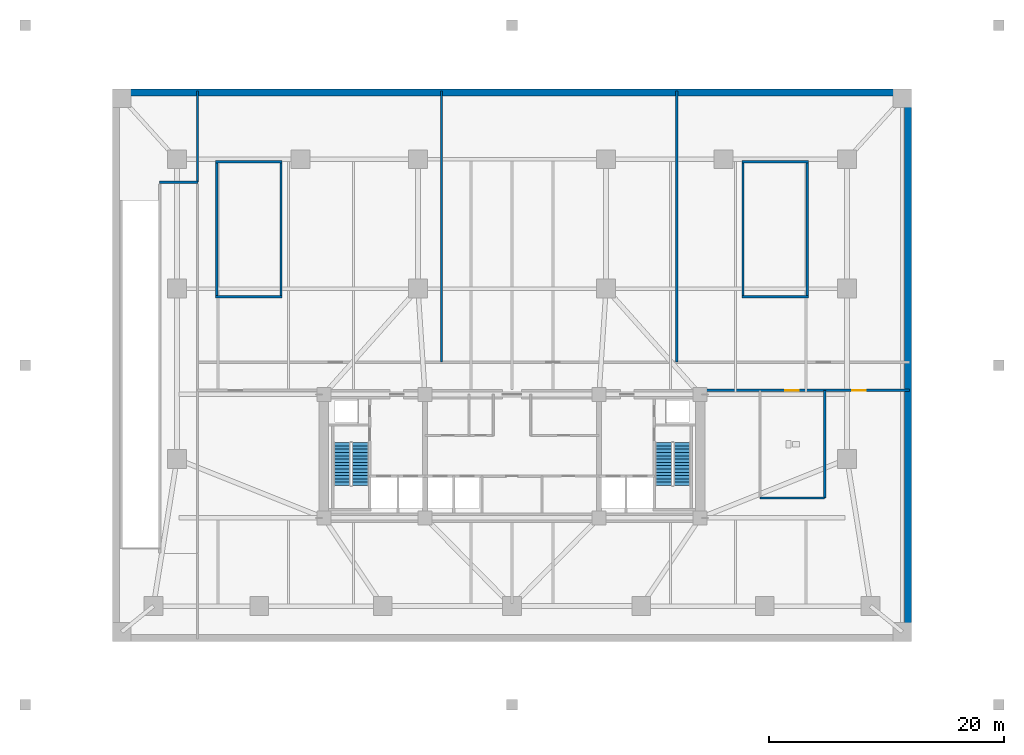
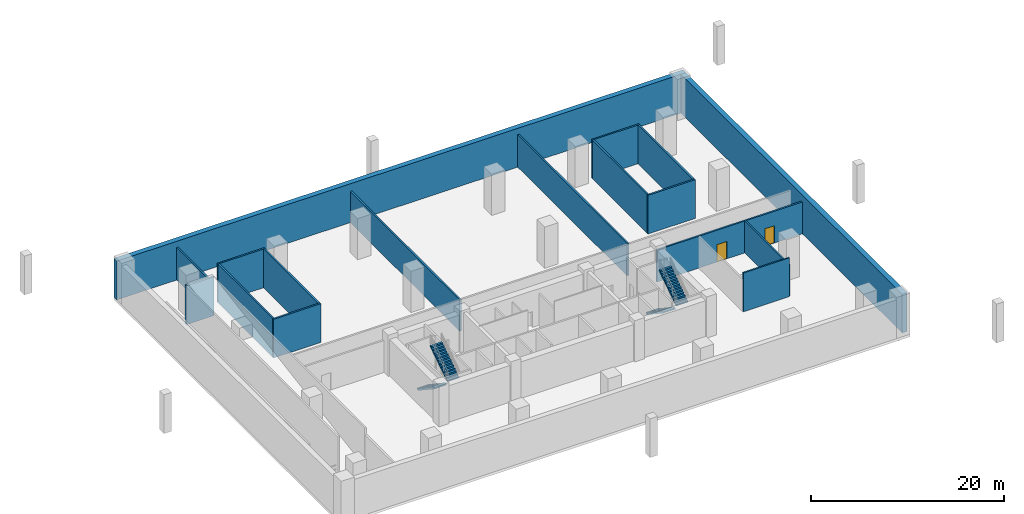
# One storey, part 6 of 9: 17 walls, 4 stair flights, 2 doors, 2 openings, 2 elements without a shape of their own.
"""IFC4 building model written with IfcOpenShell, lengths in metres."""

from ifc_helpers import new_model, si_unit, direction, frame, frame_2d, origin, place, context, subcontext, project, spatial, polyline, rectangle, outline, extrude, material, layer, layer_set, type_object, element, fill, aggregate, save


model = new_model("IFC4")

# Units and contexts
model_context = context("Model", 3, precision=1e-05, world=origin(), true_north=direction((0.0, 1.0)))
body_context = subcontext(model_context, "Body", "Model", "MODEL_VIEW")
ifc_project = project(units=[si_unit("LENGTHUNIT", "METRE"), si_unit("AREAUNIT", "SQUARE_METRE"), si_unit("VOLUMEUNIT", "CUBIC_METRE"), si_unit("PLANEANGLEUNIT", "RADIAN"), si_unit("MASSUNIT", "GRAM", prefix="KILO")], contexts=[model_context])

# Site, building, storey
site_placement = place(None, origin())
site = spatial("IfcSite", under=ifc_project, at=site_placement, CompositionType="ELEMENT")
building_placement = place(site_placement, origin())
building = spatial("IfcBuilding", under=site, at=building_placement, Name="Solmavex Isthmus Hotel", CompositionType="ELEMENT")
storey_placement = place(building_placement, frame((0.0, 0.0, -5.199951171875)))
storey = spatial("IfcBuildingStorey", under=building, at=storey_placement, Name="B01", CompositionType="ELEMENT", Elevation=-5.199951171875)

# Walls
ifc_material_1 = material(Name="Concrete C40/50", Category="concrete")
ifc_layer_1 = layer(ifc_material_1, 0.179931640625)
ifc_layer_set_1 = layer_set([ifc_layer_1], Name="Concrete C40/50")
wall_type_1 = type_object("IfcWallType", Name="IW-SHAFT-180", PredefinedType="PARTITIONING", material=ifc_layer_set_1)
wall_1_placement = place(storey_placement, frame((26.60009765625, -11.300048828125, 0.0), z_axis=(0.0, 0.0, 1.0), x_axis=(0.0, 1.0, 0.0)))
element("IfcWall", 1, at=wall_1_placement, inside=storey, type_object=wall_type_1, Name="Interior Partition Wall W-B01-WCE", PredefinedType="PARTITIONING", context=body_context, shape_type="SweptSolid", body=[
    extrude(rectangle(XDim=9.150146484375, YDim=0.179931640625, at=frame_2d((4.5751953125, 0.0))), origin(), (0.0, 0.0, 1.0), 4.029541015625),
])
wall_2_placement = place(storey_placement, frame((21.10009765625, -11.300048828125, 0.0), z_axis=(0.0, 0.0, 1.0), x_axis=(1.0, 0.0, 0.0)))
element("IfcWall", 2, at=wall_2_placement, inside=storey, type_object=wall_type_1, Name="Interior Partition Wall W-B01-WCS", PredefinedType="PARTITIONING", context=body_context, shape_type="SweptSolid", body=[
    extrude(rectangle(XDim=5.5, YDim=0.179931640625, at=frame_2d((2.75, 0.0))), origin(), (0.0, 0.0, 1.0), 4.89990234375),
])

# Wall, openings, doors
ifc_layer_2 = layer(ifc_material_1, 0.199951171875)
ifc_layer_set_2 = layer_set([ifc_layer_2], Name="Concrete C40/50")
wall_type_2 = type_object("IfcWallType", Name="IW-SHAFT-200", PredefinedType="PARTITIONING", material=ifc_layer_set_2)
wall_3_placement = place(storey_placement, frame((16.0, -2.14990234375, 0.0), z_axis=(0.0, 0.0, 1.0), x_axis=(1.0, 0.0, 0.0)))
wall_3 = element("IfcWall", 3, at=wall_3_placement, inside=storey, type_object=wall_type_2, Name="Interior Partition Wall W-B01-SE", PredefinedType="PARTITIONING", context=body_context, shape_type="SweptSolid", body=[
    extrude(rectangle(XDim=17.800048828125, YDim=0.199951171875, at=frame_2d((8.89990234375, 0.0))), origin(), (0.0, 0.0, 1.0), 4.029541015625),
])
opening_1_placement = place(wall_3_placement, frame((7.22509765625, 0.0, 0.0)))
opening_1 = element("IfcOpeningElement", 4, at=opening_1_placement, cuts=wall_3, Name="Opening ID-C115", PredefinedType="OPENING", context=body_context, shape_type="SweptSolid", body=[
    extrude(rectangle(XDim=1.14990234375, YDim=2.199951171875, at=frame_2d((0.574951171875, 1.10009765625))), frame((0.0, 0.10986328125, 0.0), z_axis=(0.0, -1.0, 0.0), x_axis=(1.0, 0.0, 0.0)), (0.0, 0.0, 1.0), 0.219970703125),
])
opening_2_placement = place(wall_3_placement, frame((12.925048828125, 0.0, 0.0)))
opening_2 = element("IfcOpeningElement", 5, at=opening_2_placement, cuts=wall_3, Name="Opening ID-C115", PredefinedType="OPENING", context=body_context, shape_type="SweptSolid", body=[
    extrude(rectangle(XDim=1.14990234375, YDim=2.199951171875, at=frame_2d((0.574951171875, 1.10009765625))), frame((0.0, 0.10986328125, 0.0), z_axis=(0.0, -1.0, 0.0), x_axis=(1.0, 0.0, 0.0)), (0.0, 0.0, 1.0), 0.219970703125),
])
ifc_material_2 = material(Name="Hardwood timber", Category="wood")
door_type = type_object("IfcDoorType", Name="IDR-FD60-1150", OperationType="NOTDEFINED", PredefinedType="DOOR", material=ifc_material_2)
door_1_placement = place(opening_1_placement, origin())
door_1 = element("IfcDoor", 6, at=door_1_placement, inside=storey, type_object=door_type, Name="Basement Service Door D-B01-WC", OperationType="SINGLE_SWING_LEFT", OverallHeight=2.199951171875, OverallWidth=1.14990234375, PredefinedType="DOOR", context=body_context, shape_type="SweptSolid", body=[
    extrude(rectangle(XDim=1.14990234375, YDim=2.199951171875, at=frame_2d((0.574951171875, 1.10009765625))), frame((0.0, 0.02490234375, 0.0), z_axis=(0.0, -1.0, 0.0), x_axis=(1.0, 0.0, 0.0)), (0.0, 0.0, 1.0), 0.050048828125),
])
fill(opening_1, door_1)
door_2_placement = place(opening_2_placement, origin())
door_2 = element("IfcDoor", 7, at=door_2_placement, inside=storey, type_object=door_type, Name="Basement Service Door D-B01-LK", OperationType="SINGLE_SWING_LEFT", OverallHeight=2.199951171875, OverallWidth=1.14990234375, PredefinedType="DOOR", context=body_context, shape_type="SweptSolid", body=[
    extrude(rectangle(XDim=1.14990234375, YDim=2.199951171875, at=frame_2d((0.574951171875, 1.10009765625))), frame((0.0, 0.02490234375, 0.0), z_axis=(0.0, -1.0, 0.0), x_axis=(1.0, 0.0, 0.0)), (0.0, 0.0, 1.0), 0.050048828125),
])
fill(opening_2, door_2)

# Walls
wall_4_placement = place(storey_placement, frame((-6.0, 0.25, 0.0), z_axis=(0.0, 0.0, 1.0), x_axis=(0.0, 1.0, 0.0)))
element("IfcWall", 8, at=wall_4_placement, inside=storey, type_object=wall_type_2, Name="Interior Partition Wall W-B01-M1", PredefinedType="PARTITIONING", context=body_context, shape_type="SweptSolid", body=[
    extrude(rectangle(XDim=23.050048828125, YDim=0.199951171875, at=frame_2d((11.52490234375, 0.0))), origin(), (0.0, 0.0, 1.0), 3.942138671875),
])
wall_5_placement = place(storey_placement, frame((14.0, 0.25, 0.0), z_axis=(0.0, 0.0, 1.0), x_axis=(0.0, 1.0, 0.0)))
element("IfcWall", 9, at=wall_5_placement, inside=storey, type_object=wall_type_2, Name="Interior Partition Wall W-B01-M2", PredefinedType="PARTITIONING", context=body_context, shape_type="SweptSolid", body=[
    extrude(rectangle(XDim=23.050048828125, YDim=0.199951171875, at=frame_2d((11.52490234375, 0.0))), origin(), (0.0, 0.0, 1.0), 4.11181640625),
])
wall_6_placement = place(storey_placement, frame((-26.75, 15.550048828125, 0.0), z_axis=(0.0, 0.0, 1.0), x_axis=(0.0, 1.0, 0.0)))
element("IfcWall", 10, at=wall_6_placement, inside=storey, type_object=wall_type_2, Name="Interior Partition Wall W-B01-LW", PredefinedType="PARTITIONING", context=body_context, shape_type="SweptSolid", body=[
    extrude(rectangle(XDim=7.75, YDim=0.199951171875, at=frame_2d((3.875, 0.0))), origin(), (0.0, 0.0, 1.0), 4.11181640625),
])
ifc_material_3 = material(Name="Concrete C50/60", Category="concrete")
ifc_layer_3 = layer(ifc_material_3, 0.60009765625)
ifc_layer_set_3 = layer_set([ifc_layer_3], Name="Concrete C50/60")
wall_type_3 = type_object("IfcWallType", Name="WALL-RET-600", PredefinedType="SOLIDWALL", material=ifc_layer_set_3)
wall_7_placement = place(storey_placement, frame((-34.0, 23.199951171875, 0.0), z_axis=(0.0, 0.0, 1.0), x_axis=(1.0, 0.0, 0.0)))
element("IfcWall", 11, at=wall_7_placement, inside=storey, type_object=wall_type_3, Name="Basement Retaining Wall North B01", PredefinedType="SOLIDWALL", context=body_context, shape_type="SweptSolid", body=[
    extrude(rectangle(XDim=68.0, YDim=0.60009765625, at=frame_2d((34.0, 0.0))), origin(), (0.0, 0.0, 1.0), 4.89990234375),
])
wall_8_placement = place(storey_placement, frame((33.699951171875, -22.89990234375, 0.0), z_axis=(0.0, 0.0, 1.0), x_axis=(0.0, 1.0, 0.0)))
element("IfcWall", 12, at=wall_8_placement, inside=storey, type_object=wall_type_3, Name="Basement Retaining Wall East B01", PredefinedType="SOLIDWALL", context=body_context, shape_type="SweptSolid", body=[
    extrude(rectangle(XDim=45.7998046875, YDim=0.60009765625, at=frame_2d((22.89990234375, 0.0))), origin(), (0.0, 0.0, 1.0), 4.89990234375),
])
ifc_layer_4 = layer(ifc_material_1, 0.199951171875)
ifc_layer_set_4 = layer_set([ifc_layer_4], Name="Concrete C40/50")
wall_type_4 = type_object("IfcWallType", Name="WALL-SW-200", PredefinedType="SOLIDWALL", material=ifc_layer_set_4)
for number, where, z_axis, x_axis, name in (
    (13, (19.550048828125, 5.800048828125, 0.0), (0.0, 0.0, 1.0), (1.0, 0.0, 0.0), "Stairwell Structural Wall SW-B01-ST3-S"),
    (14, (19.550048828125, 17.300048828125, 0.0), (0.0, 0.0, 1.0), (1.0, 0.0, 0.0), "Stairwell Structural Wall SW-B01-ST3-N"),
):
    element("IfcWall", number, at=place(storey_placement, frame(where, z_axis=z_axis, x_axis=x_axis)), inside=storey, type_object=wall_type_4, Name=name, PredefinedType="SOLIDWALL", context=body_context, shape_type="SweptSolid", body=[
        extrude(rectangle(XDim=5.64990234375, YDim=0.199951171875, at=frame_2d((2.824951171875, 0.0))), origin(), (0.0, 0.0, 1.0), 4.89990234375),
    ])
for number, where, z_axis, x_axis, name in (
    (15, (19.64990234375, 5.89990234375, 0.0), (0.0, 0.0, 1.0), (0.0, 1.0, 0.0), "Stairwell Structural Wall SW-B01-ST3-W"),
    (16, (25.10009765625, 5.89990234375, 0.0), (0.0, 0.0, 1.0), (0.0, 1.0, 0.0), "Stairwell Structural Wall SW-B01-ST3-E"),
):
    element("IfcWall", number, at=place(storey_placement, frame(where, z_axis=z_axis, x_axis=x_axis)), inside=storey, type_object=wall_type_4, Name=name, PredefinedType="SOLIDWALL", context=body_context, shape_type="SweptSolid", body=[
        extrude(rectangle(XDim=11.300048828125, YDim=0.199951171875, at=frame_2d((5.64990234375, 0.0))), origin(), (0.0, 0.0, 1.0), 4.89990234375),
    ])
for number, where, z_axis, x_axis, name in (
    (17, (-25.199951171875, 5.800048828125, 0.0), (0.0, 0.0, 1.0), (1.0, 0.0, 0.0), "Stairwell Structural Wall SW-B01-ST4-S"),
    (18, (-25.199951171875, 17.300048828125, 0.0), (0.0, 0.0, 1.0), (1.0, 0.0, 0.0), "Stairwell Structural Wall SW-B01-ST4-N"),
):
    element("IfcWall", number, at=place(storey_placement, frame(where, z_axis=z_axis, x_axis=x_axis)), inside=storey, type_object=wall_type_4, Name=name, PredefinedType="SOLIDWALL", context=body_context, shape_type="SweptSolid", body=[
        extrude(rectangle(XDim=5.64990234375, YDim=0.199951171875, at=frame_2d((2.824951171875, 0.0))), origin(), (0.0, 0.0, 1.0), 4.89990234375),
    ])
for number, where, z_axis, x_axis, name in (
    (19, (-25.10009765625, 5.89990234375, 0.0), (0.0, 0.0, 1.0), (0.0, 1.0, 0.0), "Stairwell Structural Wall SW-B01-ST4-W"),
    (20, (-19.64990234375, 5.89990234375, 0.0), (0.0, 0.0, 1.0), (0.0, 1.0, 0.0), "Stairwell Structural Wall SW-B01-ST4-E"),
):
    element("IfcWall", number, at=place(storey_placement, frame(where, z_axis=z_axis, x_axis=x_axis)), inside=storey, type_object=wall_type_4, Name=name, PredefinedType="SOLIDWALL", context=body_context, shape_type="SweptSolid", body=[
        extrude(rectangle(XDim=11.300048828125, YDim=0.199951171875, at=frame_2d((5.64990234375, 0.0))), origin(), (0.0, 0.0, 1.0), 4.89990234375),
    ])
ifc_layer_5 = layer(ifc_material_1, 0.25)
ifc_layer_set_5 = layer_set([ifc_layer_5], Name="Concrete C40/50")
wall_type_5 = type_object("IfcWallType", Name="WALL-SW-250", PredefinedType="SOLIDWALL", material=ifc_layer_set_5)
wall_9_placement = place(storey_placement, frame((-30.0, 15.550048828125, 0.0), z_axis=(0.0, 0.0, 1.0), x_axis=(1.0, 0.0, 0.0)))
element("IfcWall", 21, at=wall_9_placement, inside=storey, type_object=wall_type_5, Name="Ramp Flight R2 Top Bearing Wall B01", PredefinedType="SOLIDWALL", context=body_context, shape_type="SweptSolid", body=[
    extrude(rectangle(XDim=3.300048828125, YDim=0.25, at=frame_2d((1.64990234375, 0.0))), origin(), (0.0, 0.0, 1.0), 4.89990234375),
])

# Stair, stair flights
stair_type_1 = type_object("IfcStairType", Name="STR-ST-1", PredefinedType="HALF_TURN_STAIR", material=ifc_material_1)
stair_1_placement = place(storey_placement, origin())
stair_1 = element("IfcStair", 22, at=stair_1_placement, inside=storey, type_object=stair_type_1, Name="B01 Protected Exit Stair ST-1", PredefinedType="HALF_TURN_STAIR")
stair_flight_type_1 = type_object("IfcStairFlightType", Name="SFL-ST-1", PredefinedType="STRAIGHT", material=ifc_material_1)
stair_flight_1_placement = place(storey_placement, frame((-14.449951171875, -6.60009765625, 0.0), z_axis=(0.0, 0.0, 1.0), x_axis=(0.0, -1.0, 0.0)))
stair_flight_1 = element("IfcStairFlight", 23, at=stair_flight_1_placement, type_object=stair_flight_type_1, Name="ST-1 flight 1", NumberOfRisers=14, NumberOfTreads=13, PredefinedType="STRAIGHT", RiserHeight=0.185714286, TreadLength=0.28, context=body_context, shape_type="SweptSolid", body=[
    extrude(outline(polyline([(0.0, 0.0), (0.0, 0.185791015625), (0.280029296875, 0.185791015625), (0.280029296875, 0.371337890625), (0.56005859375, 0.371337890625), (0.56005859375, 0.55712890625), (0.840087890625, 0.55712890625), (0.840087890625, 0.742919921875), (1.1201171875, 0.742919921875), (1.1201171875, 0.928466796875), (1.39990234375, 0.928466796875), (1.39990234375, 1.1142578125), (1.679931640625, 1.1142578125), (1.679931640625, 1.300048828125), (1.9599609375, 1.300048828125), (1.9599609375, 1.485595703125), (2.239990234375, 1.485595703125), (2.239990234375, 1.67138671875), (2.52001953125, 1.67138671875), (2.52001953125, 1.857177734375), (2.800048828125, 1.857177734375), (2.800048828125, 2.04296875), (3.080078125, 2.04296875), (3.080078125, 2.228515625), (3.360107421875, 2.228515625), (3.360107421875, 2.414306640625), (3.639892578125, 2.414306640625), (3.639892578125, 2.60009765625), (3.639892578125, 2.234375), (0.271240234375, 0.0), (0.0, 0.0)])), frame((0.0, 0.699951171875, 0.0), z_axis=(0.0, -1.0, 0.0), x_axis=(1.0, 0.0, 0.0)), (0.0, 0.0, 1.0), 1.39990234375),
])
stair_flight_2_placement = place(storey_placement, frame((-12.89990234375, -10.239990234375, 2.599853515625), z_axis=(0.0, 0.0, 1.0), x_axis=(0.0, 1.0, 0.0)))
stair_flight_2 = element("IfcStairFlight", 24, at=stair_flight_2_placement, type_object=stair_flight_type_1, Name="ST-1 flight 2", NumberOfRisers=14, NumberOfTreads=13, PredefinedType="STRAIGHT", RiserHeight=0.185714286, TreadLength=0.28, context=body_context, shape_type="SweptSolid", body=[
    extrude(outline(polyline([(0.0, 0.0), (0.0, 0.185791015625), (0.280029296875, 0.185791015625), (0.280029296875, 0.371337890625), (0.56005859375, 0.371337890625), (0.56005859375, 0.55712890625), (0.840087890625, 0.55712890625), (0.840087890625, 0.742919921875), (1.1201171875, 0.742919921875), (1.1201171875, 0.928466796875), (1.39990234375, 0.928466796875), (1.39990234375, 1.1142578125), (1.679931640625, 1.1142578125), (1.679931640625, 1.300048828125), (1.9599609375, 1.300048828125), (1.9599609375, 1.485595703125), (2.239990234375, 1.485595703125), (2.239990234375, 1.67138671875), (2.52001953125, 1.67138671875), (2.52001953125, 1.857177734375), (2.800048828125, 1.857177734375), (2.800048828125, 2.04296875), (3.080078125, 2.04296875), (3.080078125, 2.228515625), (3.360107421875, 2.228515625), (3.360107421875, 2.414306640625), (3.639892578125, 2.414306640625), (3.639892578125, 2.60009765625), (3.639892578125, 2.234375), (0.271240234375, 0.0), (0.0, 0.0)])), frame((0.0, 0.699951171875, 0.0), z_axis=(0.0, -1.0, 0.0), x_axis=(1.0, 0.0, 0.0)), (0.0, 0.0, 1.0), 1.39990234375),
])
aggregate(stair_1, [stair_flight_1, stair_flight_2])

stair_type_2 = type_object("IfcStairType", Name="STR-ST-2", PredefinedType="HALF_TURN_STAIR", material=ifc_material_1)
stair_2_placement = place(storey_placement, origin())
stair_2 = element("IfcStair", 25, at=stair_2_placement, inside=storey, type_object=stair_type_2, Name="B01 Protected Exit Stair ST-2", PredefinedType="HALF_TURN_STAIR")
stair_flight_type_2 = type_object("IfcStairFlightType", Name="SFL-ST-2", PredefinedType="STRAIGHT", material=ifc_material_1)
stair_flight_3_placement = place(storey_placement, frame((12.89990234375, -6.60009765625, 0.0), z_axis=(0.0, 0.0, 1.0), x_axis=(0.0, -1.0, 0.0)))
stair_flight_3 = element("IfcStairFlight", 26, at=stair_flight_3_placement, type_object=stair_flight_type_2, Name="ST-2 flight 1", NumberOfRisers=14, NumberOfTreads=13, PredefinedType="STRAIGHT", RiserHeight=0.185714286, TreadLength=0.28, context=body_context, shape_type="SweptSolid", body=[
    extrude(outline(polyline([(0.0, 0.0), (0.0, 0.185791015625), (0.280029296875, 0.185791015625), (0.280029296875, 0.371337890625), (0.56005859375, 0.371337890625), (0.56005859375, 0.55712890625), (0.840087890625, 0.55712890625), (0.840087890625, 0.742919921875), (1.1201171875, 0.742919921875), (1.1201171875, 0.928466796875), (1.39990234375, 0.928466796875), (1.39990234375, 1.1142578125), (1.679931640625, 1.1142578125), (1.679931640625, 1.300048828125), (1.9599609375, 1.300048828125), (1.9599609375, 1.485595703125), (2.239990234375, 1.485595703125), (2.239990234375, 1.67138671875), (2.52001953125, 1.67138671875), (2.52001953125, 1.857177734375), (2.800048828125, 1.857177734375), (2.800048828125, 2.04296875), (3.080078125, 2.04296875), (3.080078125, 2.228515625), (3.360107421875, 2.228515625), (3.360107421875, 2.414306640625), (3.639892578125, 2.414306640625), (3.639892578125, 2.60009765625), (3.639892578125, 2.234375), (0.271240234375, 0.0), (0.0, 0.0)])), frame((0.0, 0.699951171875, 0.0), z_axis=(0.0, -1.0, 0.0), x_axis=(1.0, 0.0, 0.0)), (0.0, 0.0, 1.0), 1.39990234375),
])
stair_flight_4_placement = place(storey_placement, frame((14.449951171875, -10.239990234375, 2.599853515625), z_axis=(0.0, 0.0, 1.0), x_axis=(0.0, 1.0, 0.0)))
stair_flight_4 = element("IfcStairFlight", 27, at=stair_flight_4_placement, type_object=stair_flight_type_2, Name="ST-2 flight 2", NumberOfRisers=14, NumberOfTreads=13, PredefinedType="STRAIGHT", RiserHeight=0.185714286, TreadLength=0.28, context=body_context, shape_type="SweptSolid", body=[
    extrude(outline(polyline([(0.0, 0.0), (0.0, 0.185791015625), (0.280029296875, 0.185791015625), (0.280029296875, 0.371337890625), (0.56005859375, 0.371337890625), (0.56005859375, 0.55712890625), (0.840087890625, 0.55712890625), (0.840087890625, 0.742919921875), (1.1201171875, 0.742919921875), (1.1201171875, 0.928466796875), (1.39990234375, 0.928466796875), (1.39990234375, 1.1142578125), (1.679931640625, 1.1142578125), (1.679931640625, 1.300048828125), (1.9599609375, 1.300048828125), (1.9599609375, 1.485595703125), (2.239990234375, 1.485595703125), (2.239990234375, 1.67138671875), (2.52001953125, 1.67138671875), (2.52001953125, 1.857177734375), (2.800048828125, 1.857177734375), (2.800048828125, 2.04296875), (3.080078125, 2.04296875), (3.080078125, 2.228515625), (3.360107421875, 2.228515625), (3.360107421875, 2.414306640625), (3.639892578125, 2.414306640625), (3.639892578125, 2.60009765625), (3.639892578125, 2.234375), (0.271240234375, 0.0), (0.0, 0.0)])), frame((0.0, 0.699951171875, 0.0), z_axis=(0.0, -1.0, 0.0), x_axis=(1.0, 0.0, 0.0)), (0.0, 0.0, 1.0), 1.39990234375),
])
aggregate(stair_2, [stair_flight_3, stair_flight_4])

save(model, "model.ifc")
